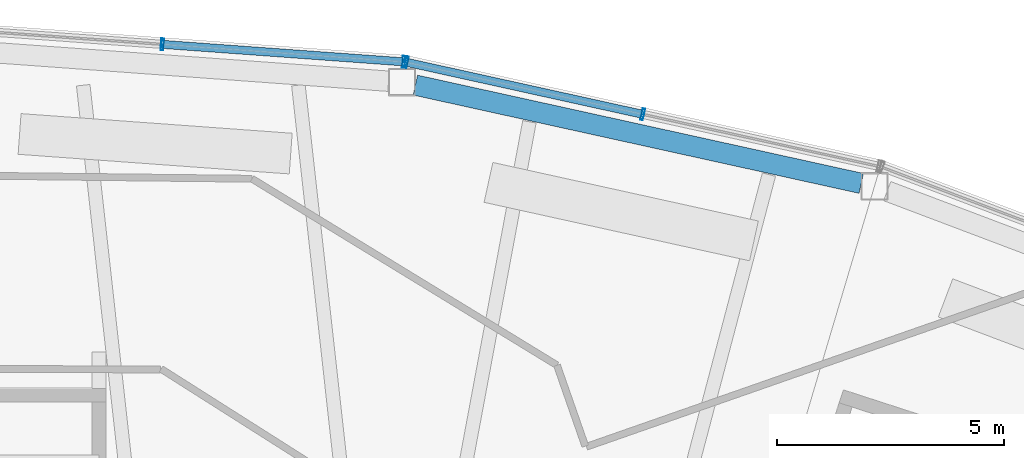
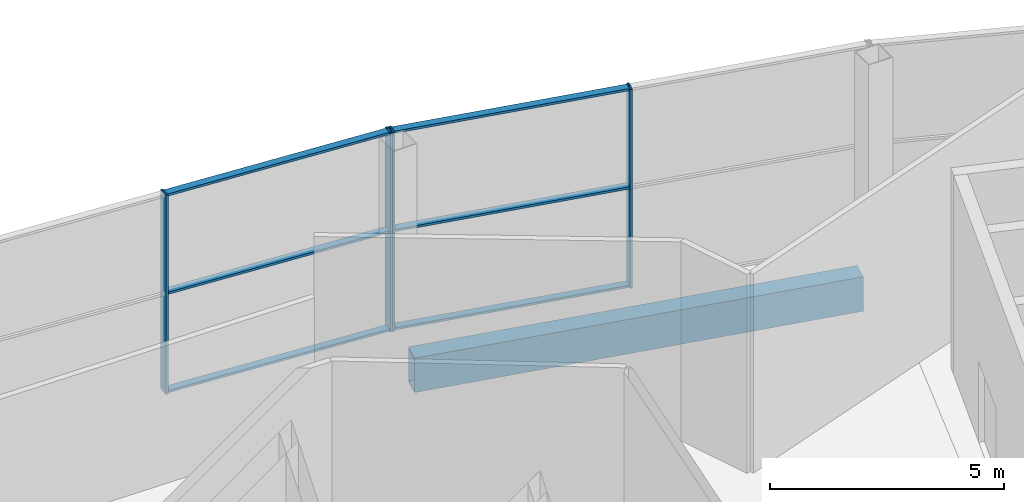
# One storey, part 30 of 44: 10 members, 1 beam, 2 elements without a shape of their own.
"""IFC4 building model written with IfcOpenShell, lengths in metres."""

from ifc_helpers import new_model, si_unit, direction, frame, origin, origin_2d, place, context, subcontext, project, spatial, hollow_rectangle, extrude, material, layer, layer_set, material_profile, profile_set, type_object, element, aggregate, save


model = new_model("IFC4")

# Units and contexts
model_context = context("Model", 3, precision=1e-05, world=origin(), true_north=direction((0.0, 1.0)))
body_context = subcontext(model_context, "Body", "Model", "MODEL_VIEW")
ifc_project = project(units=[si_unit("LENGTHUNIT", "METRE"), si_unit("AREAUNIT", "SQUARE_METRE"), si_unit("VOLUMEUNIT", "CUBIC_METRE"), si_unit("PLANEANGLEUNIT", "RADIAN"), si_unit("MASSUNIT", "GRAM", prefix="KILO")], contexts=[model_context])

# Site, building, storey
site_placement = place(None, origin())
site = spatial("IfcSite", under=ifc_project, at=site_placement, CompositionType="ELEMENT")
building_placement = place(site_placement, origin())
building = spatial("IfcBuilding", under=site, at=building_placement, Name="Tuul Gate Civic Tower", CompositionType="ELEMENT")
storey_placement = place(building_placement, frame((0.0, 0.0, 354.60009765625)))
storey = spatial("IfcBuildingStorey", under=building, at=storey_placement, Name="Observation level 2", CompositionType="ELEMENT", Elevation=354.60009765625)

# Curtain wall, members
ifc_material_1 = material(Name="Stainless steel", Category="steel")
ifc_layer = layer(ifc_material_1, 0.199951171875)
ifc_layer_set = layer_set([ifc_layer], Name="Stainless steel")
curtain_wall_type = type_object("IfcCurtainWallType", Name="Curtain wall CW4", PredefinedType="NOTDEFINED", material=ifc_layer_set)
curtain_wall_1_placement = place(storey_placement, origin())
curtain_wall_1 = element("IfcCurtainWall", 1, at=curtain_wall_1_placement, inside=storey, type_object=curtain_wall_type, Name="Curtain wall CW4", PredefinedType="NOTDEFINED")
ifc_material_2 = material(Name="Stainless steel", Category="steel")
ifc_material_profile_1 = material_profile(ifc_material_2, hollow_rectangle(XDim=0.260009765625, YDim=0.06005859375, WallThickness=0.006103515625, at=origin_2d()), Name="CW4 mullion")
ifc_profile_set_1 = profile_set([ifc_material_profile_1], Name="Stainless steel")
member_type_1 = type_object("IfcMemberType", Name="CW4 mullion", PredefinedType="MULLION", material=ifc_profile_set_1)
member_1_placement = place(storey_placement, frame((18.151611328125, 12.346923828125, 0.0), z_axis=(0.0, 0.0, 1.0), x_axis=(-0.215215147882, -0.976566659334, 0.0)))
member_1 = element("IfcMember", 2, at=member_1_placement, type_object=member_type_1, Name="Mullion", PredefinedType="MULLION", context=body_context, shape_type="SweptSolid", body=[
    extrude(hollow_rectangle(XDim=0.260009765625, YDim=0.06005859375, WallThickness=0.006103515625, at=origin_2d()), origin(), (0.0, 0.0, 1.0), 5.199951171875),
])
member_2_placement = place(storey_placement, frame((12.935302734375, 13.49658203125, 0.0), z_axis=(0.0, 0.0, 1.0), x_axis=(-0.215215147882, -0.976566659334, 0.0)))
member_2 = element("IfcMember", 3, at=member_2_placement, type_object=member_type_1, Name="Mullion", PredefinedType="MULLION", context=body_context, shape_type="SweptSolid", body=[
    extrude(hollow_rectangle(XDim=0.260009765625, YDim=0.06005859375, WallThickness=0.006103515625, at=origin_2d()), origin(), (0.0, 0.0, 1.0), 5.199951171875),
])

curtain_wall_2_placement = place(storey_placement, origin())
curtain_wall_2 = element("IfcCurtainWall", 4, at=curtain_wall_2_placement, inside=storey, type_object=curtain_wall_type, Name="Curtain wall CW4", PredefinedType="NOTDEFINED")
member_3_placement = place(storey_placement, frame((12.8759765625, 13.505126953125, 0.0), z_axis=(0.0, 0.0, 1.0), x_axis=(-0.07223936563, -0.997387323989, 0.0)))
member_3 = element("IfcMember", 5, at=member_3_placement, type_object=member_type_1, Name="Mullion", PredefinedType="MULLION", context=body_context, shape_type="SweptSolid", body=[
    extrude(hollow_rectangle(XDim=0.260009765625, YDim=0.06005859375, WallThickness=0.006103515625, at=origin_2d()), origin(), (0.0, 0.0, 1.0), 5.199951171875),
])
member_4_placement = place(storey_placement, frame((7.549072265625, 13.89111328125, 0.0), z_axis=(0.0, 0.0, 1.0), x_axis=(-0.07223936563, -0.997387323989, 0.0)))
member_4 = element("IfcMember", 6, at=member_4_placement, type_object=member_type_1, Name="Mullion", PredefinedType="MULLION", context=body_context, shape_type="SweptSolid", body=[
    extrude(hollow_rectangle(XDim=0.260009765625, YDim=0.06005859375, WallThickness=0.006103515625, at=origin_2d()), origin(), (0.0, 0.0, 1.0), 5.199951171875),
])

# Member
ifc_material_3 = material(Name="Stainless steel", Category="steel")
ifc_material_profile_2 = material_profile(ifc_material_3, hollow_rectangle(XDim=0.179931640625, YDim=0.06005859375, WallThickness=0.006103515625, at=origin_2d()), Name="CW4 transom")
ifc_profile_set_2 = profile_set([ifc_material_profile_2], Name="Stainless steel")
member_type_2 = type_object("IfcMemberType", Name="CW4 transom", PredefinedType="USERDEFINED", material=ifc_profile_set_2)
member_5_placement = place(storey_placement, frame((18.122314453125, 12.353515625, 0.02978515625), z_axis=(-0.976573796049, 0.215182761555, 0.0), x_axis=(-0.215182761555, -0.976573796049, 0.0)))
member_5 = element("IfcMember", 7, at=member_5_placement, type_object=member_type_2, Name="Transom", ObjectType="TRANSOM", PredefinedType="USERDEFINED", context=body_context, shape_type="SweptSolid", body=[
    extrude(hollow_rectangle(XDim=0.179931640625, YDim=0.06005859375, WallThickness=0.006103515625, at=origin_2d()), origin(), (0.0, 0.0, 1.0), 5.281494140625),
])

member_6_placement = place(storey_placement, frame((18.122314453125, 12.353515625, 2.599853515625), z_axis=(-0.976573796049, 0.215182761555, 0.0), x_axis=(-0.215182761555, -0.976573796049, 0.0)))
member_6 = element("IfcMember", 8, at=member_6_placement, type_object=member_type_2, Name="Transom", ObjectType="TRANSOM", PredefinedType="USERDEFINED", context=body_context, shape_type="SweptSolid", body=[
    extrude(hollow_rectangle(XDim=0.179931640625, YDim=0.06005859375, WallThickness=0.006103515625, at=origin_2d()), origin(), (0.0, 0.0, 1.0), 5.281494140625),
])

member_7_placement = place(storey_placement, frame((18.122314453125, 12.353515625, 5.169921875), z_axis=(-0.976573796049, 0.215182761555, 0.0), x_axis=(-0.215182761555, -0.976573796049, 0.0)))
member_7 = element("IfcMember", 9, at=member_7_placement, type_object=member_type_2, Name="Transom", ObjectType="TRANSOM", PredefinedType="USERDEFINED", context=body_context, shape_type="SweptSolid", body=[
    extrude(hollow_rectangle(XDim=0.179931640625, YDim=0.06005859375, WallThickness=0.006103515625, at=origin_2d()), origin(), (0.0, 0.0, 1.0), 5.281494140625),
])

aggregate(curtain_wall_1, [member_1, member_2, member_5, member_6, member_7])

member_8_placement = place(storey_placement, frame((12.84619140625, 13.50732421875, 0.02978515625), z_axis=(-0.997386148092, 0.072255599048, 0.0), x_axis=(-0.072255599048, -0.997386148092, 0.0)))
member_8 = element("IfcMember", 10, at=member_8_placement, type_object=member_type_2, Name="Transom", ObjectType="TRANSOM", PredefinedType="USERDEFINED", context=body_context, shape_type="SweptSolid", body=[
    extrude(hollow_rectangle(XDim=0.179931640625, YDim=0.06005859375, WallThickness=0.006103515625, at=origin_2d()), origin(), (0.0, 0.0, 1.0), 5.28125),
])

member_9_placement = place(storey_placement, frame((12.84619140625, 13.50732421875, 2.599853515625), z_axis=(-0.997386148092, 0.072255599048, 0.0), x_axis=(-0.072255599048, -0.997386148092, 0.0)))
member_9 = element("IfcMember", 11, at=member_9_placement, type_object=member_type_2, Name="Transom", ObjectType="TRANSOM", PredefinedType="USERDEFINED", context=body_context, shape_type="SweptSolid", body=[
    extrude(hollow_rectangle(XDim=0.179931640625, YDim=0.06005859375, WallThickness=0.006103515625, at=origin_2d()), origin(), (0.0, 0.0, 1.0), 5.28125),
])

member_10_placement = place(storey_placement, frame((12.84619140625, 13.50732421875, 5.169921875), z_axis=(-0.997386148092, 0.072255599048, 0.0), x_axis=(-0.072255599048, -0.997386148092, 0.0)))
member_10 = element("IfcMember", 12, at=member_10_placement, type_object=member_type_2, Name="Transom", ObjectType="TRANSOM", PredefinedType="USERDEFINED", context=body_context, shape_type="SweptSolid", body=[
    extrude(hollow_rectangle(XDim=0.179931640625, YDim=0.06005859375, WallThickness=0.006103515625, at=origin_2d()), origin(), (0.0, 0.0, 1.0), 5.28125),
])

aggregate(curtain_wall_2, [member_3, member_4, member_8, member_9, member_10])

# Beam
ifc_material_4 = material(Name="Steel S355", Category="steel")
ifc_material_profile_3 = material_profile(ifc_material_4, hollow_rectangle(XDim=0.449951171875, YDim=0.89990234375, WallThickness=0.02490234375, at=origin_2d()), Name="BOX900x450x25")
ifc_profile_set_3 = profile_set([ifc_material_profile_3], Name="Steel S355")
beam_type = type_object("IfcBeamType", Name="STR-SPANDREL BEAM-BOX900x450x25", PredefinedType="BEAM", material=ifc_profile_set_3)
beam_placement = place(storey_placement, frame((22.97607421875, 10.822509765625, -0.85009765625), z_axis=(-0.97656744164, 0.215211598034, 0.0), x_axis=(-0.215211598034, -0.97656744164, 0.0)))
element("IfcBeam", 13, at=beam_placement, inside=storey, type_object=beam_type, Name="Spandrel beam", PredefinedType="BEAM", context=body_context, shape_type="SweptSolid", body=[
    extrude(hollow_rectangle(XDim=0.449951171875, YDim=0.89990234375, WallThickness=0.02490234375, at=origin_2d()), origin(), (0.0, 0.0, 1.0), 10.078125),
])

save(model, "model.ifc")
